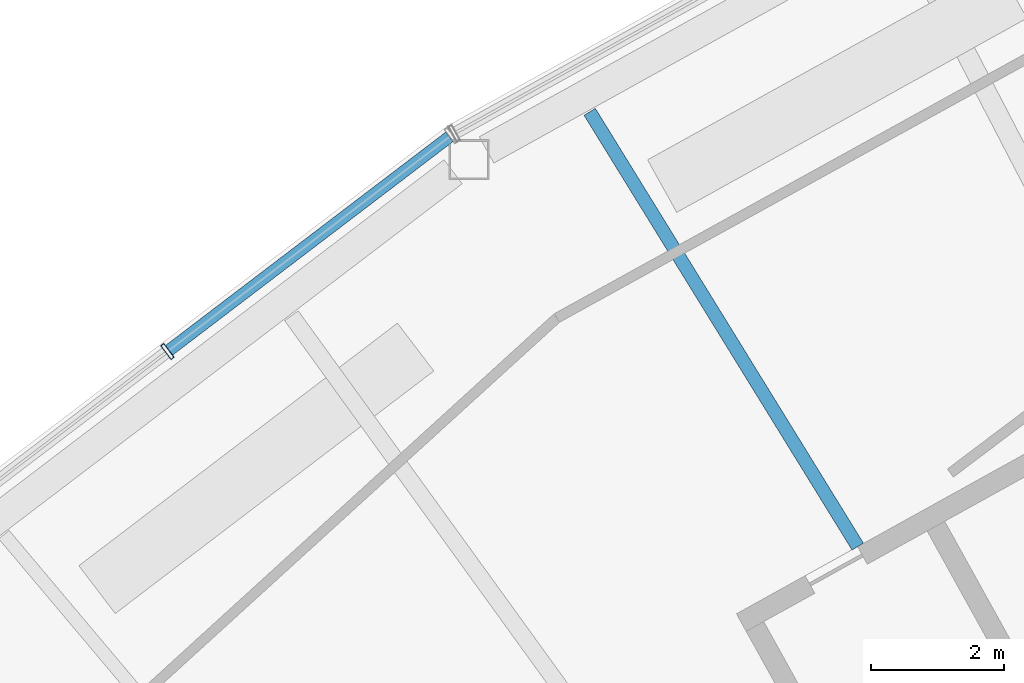
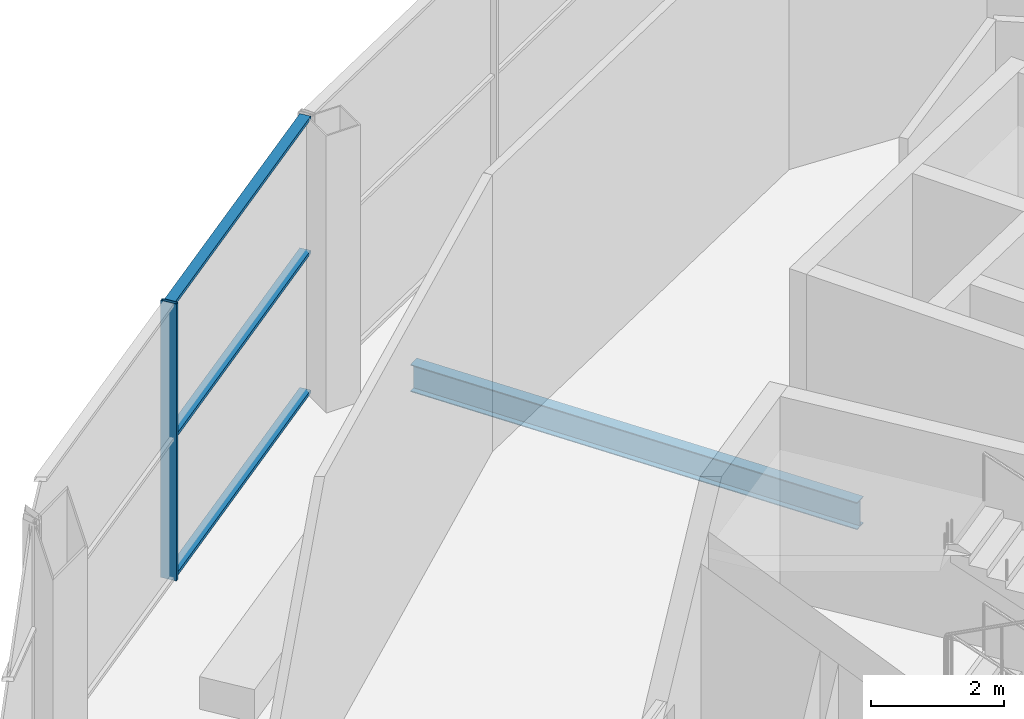
# One storey, part 10 of 43: 4 members, 1 beam, 1 element without a shape of its own.
"""IFC4 building model written with IfcOpenShell, lengths in metres."""

import ifcopenshell
import ifcopenshell.guid

model = None  # the IFC model being written
_history = None  # IfcOwnerHistory: only IFC2X3 demands one
_inside = {}  # id of a spatial element -> (the spatial element, [elements in it])
_under = {}  # id of a project, library or spatial element -> (it, [spatial elements below it])
_declared = {}  # id of a project -> (the project, [libraries it declares])
_typed = {}  # id of a type object -> (the type object, [elements of that type])
_made_of = {}  # id of a material, layer set ... -> (it, [elements and type objects made of it])


def new_model(schema):
    """Start an empty IFC model of exactly this schema.

    Asked for "IFC4X3", IfcOpenShell would pick the latest addendum, in which some entities
    have other attributes; the version numbers below select the first issue.
    IFC2X3 requires an IfcOwnerHistory on every rooted entity: one is made here for all.
    """
    global model, _history
    if schema == "IFC4X3":
        model = ifcopenshell.file(schema_version=(4, 3, 0, 0))
    else:
        model = ifcopenshell.file(schema=schema)
    _inside.clear()
    _under.clear()
    _declared.clear()
    _typed.clear()
    _made_of.clear()
    _history = None
    if model.schema == "IFC2X3":
        org = make("IfcOrganization", Name="unknown")
        user = make(
            "IfcPersonAndOrganization",
            ThePerson=make("IfcPerson", FamilyName="unknown"),
            TheOrganization=org,
        )
        app = make(
            "IfcApplication",
            ApplicationDeveloper=org,
            Version="unknown",
            ApplicationFullName="unknown",
            ApplicationIdentifier="unknown",
        )
        _history = make(
            "IfcOwnerHistory",
            OwningUser=user,
            OwningApplication=app,
            ChangeAction="ADDED",
            CreationDate=0,
        )
    return model


def make(cls, **values):
    """One entity of the class cls with the attributes given. An attribute that is None is left unset."""
    return model.create_entity(
        cls, **{name: value for name, value in values.items() if value is not None}
    )


def rooted(cls, **values):
    """An entity with a GlobalId (a new one), such as an element, a storey or a relation."""
    return make(cls, GlobalId=ifcopenshell.guid.new(), OwnerHistory=_history, **values)


def si_unit(unit_type, name, prefix=None):
    """IfcSIUnit, for example si_unit("LENGTHUNIT", "METRE", prefix="MILLI")."""
    return make("IfcSIUnit", UnitType=unit_type, Prefix=prefix, Name=name)


def assignment(units):
    """IfcUnitAssignment: the units of a project."""
    return None if units is None else make("IfcUnitAssignment", Units=units)


def point(xyz):
    """IfcCartesianPoint."""
    return None if xyz is None else make("IfcCartesianPoint", Coordinates=xyz)


def direction(xyz):
    """IfcDirection."""
    return None if xyz is None else make("IfcDirection", DirectionRatios=xyz)


def frame(location, z_axis=None, x_axis=None):
    """IfcAxis2Placement3D, a coordinate frame: its origin and axes. An axis left out is left unset."""
    return make(
        "IfcAxis2Placement3D",
        Location=point(location),
        Axis=direction(z_axis),
        RefDirection=direction(x_axis),
    )


def frame_2d(location, x_axis=None):
    """IfcAxis2Placement2D, a coordinate frame in the plane: its origin and x axis."""
    return make(
        "IfcAxis2Placement2D", Location=point(location), RefDirection=direction(x_axis)
    )


def origin():
    """The frame at (0, 0, 0) with its axes left unset."""
    return frame((0.0, 0.0, 0.0))


def origin_2d():
    """The frame at (0, 0) in the plane with its x axis left unset."""
    return frame_2d((0.0, 0.0))


def place(relative_to, where):
    """IfcLocalPlacement: puts the frame where relative to a parent placement (None: the world)."""
    return make(
        "IfcLocalPlacement", PlacementRelTo=relative_to, RelativePlacement=where
    )


def context(
    kind, dimensions, precision=None, world=None, true_north=None, identifier=None
):
    """IfcGeometricRepresentationContext, for example the 3D "Model" context."""
    return make(
        "IfcGeometricRepresentationContext",
        ContextIdentifier=identifier,
        ContextType=kind,
        CoordinateSpaceDimension=dimensions,
        Precision=precision,
        WorldCoordinateSystem=world,
        TrueNorth=true_north,
    )


def subcontext(parent, identifier, kind, view, scale=None):
    """IfcGeometricRepresentationSubContext, for example "Body" below "Model"."""
    return make(
        "IfcGeometricRepresentationSubContext",
        ContextIdentifier=identifier,
        ContextType=kind,
        ParentContext=parent,
        TargetScale=scale,
        TargetView=view,
    )


def project(units=None, contexts=None):
    """IfcProject with its units and contexts."""
    return rooted(
        "IfcProject",
        Name="project",
        RepresentationContexts=contexts,
        UnitsInContext=assignment(units),
    )


def spatial(cls, under=None, at=None, **own):
    """A site, building, storey or space (cls), placed at a placement, below another one or the project."""
    s = rooted(cls, ObjectPlacement=at, **own)
    if under is not None:
        _under.setdefault(under.id(), (under, []))[1].append(s)
    return s


def profile(cls, at=None, kind="AREA", **sizes):
    """A parametric profile (cls). Its sizes go by their IFC names, for example OverallWidth=200.0."""
    return make(cls, ProfileType=kind, Position=at, **sizes)


def hollow_rectangle(**sizes):
    """IfcRectangleHollowProfileDef."""
    return profile("IfcRectangleHollowProfileDef", **sizes)


def i_section(**sizes):
    """IfcIShapeProfileDef."""
    return profile("IfcIShapeProfileDef", **sizes)


def extrude(swept, where, along, depth):
    """IfcExtrudedAreaSolid: the profile swept, set in the frame where, extruded along a direction by depth."""
    return make(
        "IfcExtrudedAreaSolid",
        SweptArea=swept,
        Position=where,
        ExtrudedDirection=direction(along),
        Depth=depth,
    )


def shape(context_of_items, identifier, shape_type, items):
    """IfcShapeRepresentation: the items that make up one representation, for example the "Body"."""
    return make(
        "IfcShapeRepresentation",
        ContextOfItems=context_of_items,
        RepresentationIdentifier=identifier,
        RepresentationType=shape_type,
        Items=items,
    )


def material(Name=None, Category=None):
    """IfcMaterial."""
    return make("IfcMaterial", Name=Name, Category=Category)


def layer(
    of_material, thickness, ventilated=None, Name=None, Category=None, Priority=None
):
    """IfcMaterialLayer: one layer of a wall or slab, of a material (None: an air gap)."""
    return make(
        "IfcMaterialLayer",
        Material=of_material,
        LayerThickness=thickness,
        IsVentilated=ventilated,
        Name=Name,
        Category=Category,
        Priority=Priority,
    )


def layer_set(layers, Name=None):
    """IfcMaterialLayerSet."""
    return make("IfcMaterialLayerSet", MaterialLayers=layers, LayerSetName=Name)


def material_profile(
    of_material, cross_section, Name=None, Category=None, Priority=None
):
    """IfcMaterialProfile: a cross section and its material."""
    return make(
        "IfcMaterialProfile",
        Name=Name,
        Material=of_material,
        Profile=cross_section,
        Priority=Priority,
        Category=Category,
    )


def profile_set(profiles, Name=None, composite=None):
    """IfcMaterialProfileSet."""
    return make(
        "IfcMaterialProfileSet",
        Name=Name,
        MaterialProfiles=profiles,
        CompositeProfile=composite,
    )


def made_of(thing, what):
    """Note that an element or type object is made of a material, layer set ...; save() writes the relation."""
    if what is not None:
        _made_of.setdefault(what.id(), (what, []))[1].append(thing)
    return thing


def type_object(cls, material=None, **own):
    """A type object (cls), such as IfcWallType, which elements share."""
    return made_of(rooted(cls, **own), material)


def element(
    cls,
    number,
    at=None,
    inside=None,
    cuts=None,
    type_object=None,
    material=None,
    context=None,
    identifier="Body",
    shape_type=None,
    held_by="IfcProductDefinitionShape",
    body=None,
    shapes=None,
    **own,
):
    """One element of the class cls, such as IfcWall. Its Tag is "e" and its number.

    at: its placement. inside: the storey or other place that contains it. cuts: it is an
    opening in that element (IfcRelVoidsElement). A single representation is given by context,
    identifier, shape_type and body (its items); several are given by shapes. held_by: the class
    of the entity that holds the representations. save() writes the other relations.
    """
    e = rooted(cls, Tag="e%d" % number, ObjectPlacement=at, **own)
    if body is not None:
        shapes = [shape(context, identifier, shape_type, body)]
    if shapes is not None:
        e.Representation = make(held_by, Representations=shapes)
    if inside is not None:
        _inside.setdefault(inside.id(), (inside, []))[1].append(e)
    if cuts is not None:
        rooted(
            "IfcRelVoidsElement", RelatingBuildingElement=cuts, RelatedOpeningElement=e
        )
    if type_object is not None:
        _typed.setdefault(type_object.id(), (type_object, []))[1].append(e)
    return made_of(e, material)


def aggregate(whole, parts):
    """IfcRelAggregates: a whole, such as a stair, and the parts it consists of."""
    return rooted("IfcRelAggregates", RelatingObject=whole, RelatedObjects=parts)


def save(model, path):
    """Write the relations noted so far, then the file.

    IfcRelAggregates (storeys below a building ...), IfcRelContainedInSpatialStructure (elements
    in a storey), IfcRelDefinesByType, IfcRelAssociatesMaterial and IfcRelDeclares: one each for
    every whole, place, type object, material and project.
    """
    for whole, parts in _under.values():
        aggregate(whole, parts)
    for where, things in _inside.values():
        rooted(
            "IfcRelContainedInSpatialStructure",
            RelatedElements=things,
            RelatingStructure=where,
        )
    for kind, things in _typed.values():
        rooted("IfcRelDefinesByType", RelatedObjects=things, RelatingType=kind)
    for what, things in _made_of.values():
        rooted("IfcRelAssociatesMaterial", RelatedObjects=things, RelatingMaterial=what)
    for by, libraries in _declared.values():
        rooted("IfcRelDeclares", RelatingContext=by, RelatedDefinitions=libraries)
    model.write(path)


model = new_model("IFC4")

# Units and contexts
model_context = context("Model", 3, precision=1e-05, world=origin(), true_north=direction((0.0, 1.0)))
body_context = subcontext(model_context, "Body", "Model", "MODEL_VIEW")
ifc_project = project(units=[si_unit("LENGTHUNIT", "METRE"), si_unit("AREAUNIT", "SQUARE_METRE"), si_unit("VOLUMEUNIT", "CUBIC_METRE"), si_unit("PLANEANGLEUNIT", "RADIAN"), si_unit("MASSUNIT", "GRAM", prefix="KILO")], contexts=[model_context])

# Site, building, storey
site_placement = place(None, origin())
site = spatial("IfcSite", under=ifc_project, at=site_placement, CompositionType="ELEMENT")
building_placement = place(site_placement, origin())
building = spatial("IfcBuilding", under=site, at=building_placement, Name="Tuul Gate Civic Tower", CompositionType="ELEMENT")
storey_placement = place(building_placement, frame((0.0, 0.0, 349.10009765625)))
storey = spatial("IfcBuildingStorey", under=building, at=storey_placement, Name="Observation level 1", CompositionType="ELEMENT", Elevation=349.10009765625)

# Curtain wall, members
ifc_material_1 = material(Name="Stainless steel", Category="steel")
ifc_layer = layer(ifc_material_1, 0.199951171875)
ifc_layer_set = layer_set([ifc_layer], Name="Stainless steel")
curtain_wall_type = type_object("IfcCurtainWallType", Name="Curtain wall CW4", PredefinedType="NOTDEFINED", material=ifc_layer_set)
curtain_wall_placement = place(storey_placement, origin())
curtain_wall = element("IfcCurtainWall", 1, at=curtain_wall_placement, inside=storey, type_object=curtain_wall_type, Name="Curtain wall CW4", PredefinedType="NOTDEFINED")
ifc_material_2 = material(Name="Stainless steel", Category="steel")
ifc_material_profile_1 = material_profile(ifc_material_2, hollow_rectangle(XDim=0.260009765625, YDim=0.06005859375, WallThickness=0.006103515625, at=origin_2d()), Name="CW4 mullion")
ifc_profile_set_1 = profile_set([ifc_material_profile_1], Name="Stainless steel")
member_type_1 = type_object("IfcMemberType", Name="CW4 mullion", PredefinedType="MULLION", material=ifc_profile_set_1)
member_1_placement = place(storey_placement, frame((-42.73046875, -1.071044921875, 0.0), z_axis=(0.0, 0.0, 1.0), x_axis=(0.605807600786, -0.795611180684, 0.0)))
member_1 = element("IfcMember", 2, at=member_1_placement, type_object=member_type_1, Name="Mullion", PredefinedType="MULLION", context=body_context, shape_type="SweptSolid", body=[
    extrude(hollow_rectangle(XDim=0.260009765625, YDim=0.06005859375, WallThickness=0.006103515625, at=origin_2d()), origin(), (0.0, 0.0, 1.0), 5.099853515625),
])
ifc_material_3 = material(Name="Stainless steel", Category="steel")
ifc_material_profile_2 = material_profile(ifc_material_3, hollow_rectangle(XDim=0.179931640625, YDim=0.06005859375, WallThickness=0.006103515625, at=origin_2d()), Name="CW4 transom")
ifc_profile_set_2 = profile_set([ifc_material_profile_2], Name="Stainless steel")
member_type_2 = type_object("IfcMemberType", Name="CW4 transom", PredefinedType="USERDEFINED", material=ifc_profile_set_2)
member_2_placement = place(storey_placement, frame((-38.504638671875, 2.146728515625, 0.02978515625), z_axis=(-0.795613143647, -0.605805022805, 0.0), x_axis=(0.605805022805, -0.795613143647, 0.0)))
member_2 = element("IfcMember", 3, at=member_2_placement, type_object=member_type_2, Name="Transom", ObjectType="TRANSOM", PredefinedType="USERDEFINED", context=body_context, shape_type="SweptSolid", body=[
    extrude(hollow_rectangle(XDim=0.179931640625, YDim=0.06005859375, WallThickness=0.006103515625, at=origin_2d()), origin(), (0.0, 0.0, 1.0), 5.28125),
])
member_3_placement = place(storey_placement, frame((-38.504638671875, 2.146728515625, 2.599853515625), z_axis=(-0.795613143647, -0.605805022805, 0.0), x_axis=(0.605805022805, -0.795613143647, 0.0)))
member_3 = element("IfcMember", 4, at=member_3_placement, type_object=member_type_2, Name="Transom", ObjectType="TRANSOM", PredefinedType="USERDEFINED", context=body_context, shape_type="SweptSolid", body=[
    extrude(hollow_rectangle(XDim=0.179931640625, YDim=0.06005859375, WallThickness=0.006103515625, at=origin_2d()), origin(), (0.0, 0.0, 1.0), 5.28125),
])
member_4_placement = place(storey_placement, frame((-38.504638671875, 2.146728515625, 5.06982421875), z_axis=(-0.795613143647, -0.605805022805, 0.0), x_axis=(0.605805022805, -0.795613143647, 0.0)))
member_4 = element("IfcMember", 5, at=member_4_placement, type_object=member_type_2, Name="Transom", ObjectType="TRANSOM", PredefinedType="USERDEFINED", context=body_context, shape_type="SweptSolid", body=[
    extrude(hollow_rectangle(XDim=0.179931640625, YDim=0.06005859375, WallThickness=0.006103515625, at=origin_2d()), origin(), (0.0, 0.0, 1.0), 5.28125),
])
aggregate(curtain_wall, [member_1, member_2, member_3, member_4])

# Beam
ifc_material_4 = material(Name="Steel S355", Category="steel")
ifc_material_profile_3 = material_profile(ifc_material_4, i_section(OverallWidth=0.199951171875, OverallDepth=0.5, WebThickness=0.010009765625, FlangeThickness=0.01611328125, at=origin_2d()), Name="PG500x200x10x16")
ifc_profile_set_3 = profile_set([ifc_material_profile_3], Name="Steel S355")
beam_type = type_object("IfcBeamType", Name="STR-FLOOR BEAM-PG500x200x10x16", PredefinedType="BEAM", material=ifc_profile_set_3)
beam_placement = place(storey_placement, frame((-32.385009765625, -3.993896484375, -0.650146484375), z_axis=(-0.524857120658, 0.851190344691, 0.0), x_axis=(-0.851190344691, -0.524857120658, 0.0)))
element("IfcBeam", 6, at=beam_placement, inside=storey, type_object=beam_type, Name="Floor beam", PredefinedType="BEAM", context=body_context, shape_type="SweptSolid", body=[
    extrude(i_section(OverallWidth=0.199951171875, OverallDepth=0.5, WebThickness=0.010009765625, FlangeThickness=0.01611328125, at=origin_2d()), origin(), (0.0, 0.0, 1.0), 7.654052734375),
])

save(model, "model.ifc")
